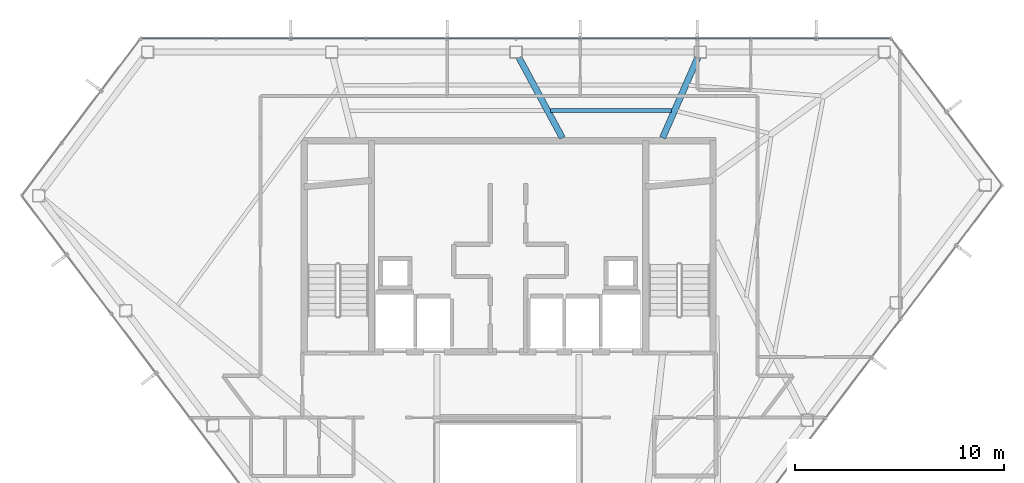
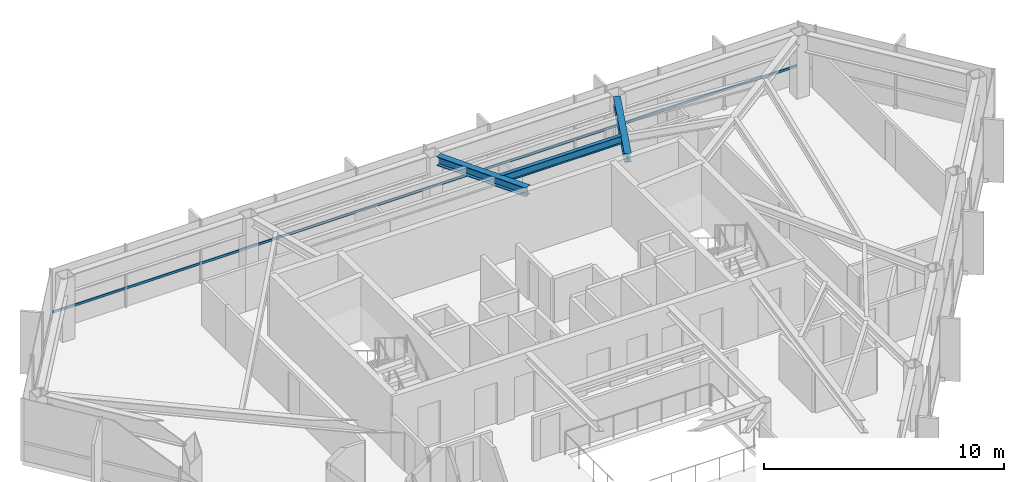
# One storey, part 15 of 28: 3 beams, 1 member, 1 element without a shape of its own.
"""IFC4 building model written with IfcOpenShell, lengths in metres."""

from ifc_helpers import new_model, si_unit, direction, frame, origin, origin_2d, place, context, subcontext, project, spatial, hollow_rectangle, i_section, extrude, material, layer, layer_set, material_profile, profile_set, type_object, element, aggregate, save


model = new_model("IFC4")

# Units and contexts
model_context = context("Model", 3, precision=1e-05, world=origin(), true_north=direction((0.0, 1.0)))
body_context = subcontext(model_context, "Body", "Model", "MODEL_VIEW")
ifc_project = project(units=[si_unit("LENGTHUNIT", "METRE"), si_unit("AREAUNIT", "SQUARE_METRE"), si_unit("VOLUMEUNIT", "CUBIC_METRE"), si_unit("PLANEANGLEUNIT", "RADIAN"), si_unit("MASSUNIT", "GRAM", prefix="KILO")], contexts=[model_context])

# Site, building, storey
site_placement = place(None, origin())
site = spatial("IfcSite", under=ifc_project, at=site_placement, CompositionType="ELEMENT")
building_placement = place(site_placement, origin())
building = spatial("IfcBuilding", under=site, at=building_placement, Name="Zarrinselat Tower", CompositionType="ELEMENT")
storey_placement = place(building_placement, frame((0.0, 0.0, 222.360107421875)))
storey = spatial("IfcBuildingStorey", under=building, at=storey_placement, Name="L55", CompositionType="ELEMENT", Elevation=222.360107421875)

# Beams
ifc_material_1 = material(Name="Steel S355J2", Category="steel")
ifc_material_profile_1 = material_profile(ifc_material_1, i_section(OverallWidth=0.300048828125, OverallDepth=0.449951171875, WebThickness=0.013916015625, FlangeThickness=0.02587890625, at=origin_2d()), Name="HEB 450")
ifc_profile_set_1 = profile_set([ifc_material_profile_1], Name="Steel S355J2")
beam_type_1 = type_object("IfcBeamType", Name="BM-HEB450", PredefinedType="BEAM", material=ifc_profile_set_1)
beam_1_placement = place(storey_placement, frame((45.800048828125, 43.5400390625, 2.954833984375), z_axis=(0.401477560637, 0.915868859775, 0.0), x_axis=(-0.915868859775, 0.401477560637, 0.0)))
element("IfcBeam", 1, at=beam_1_placement, inside=storey, type_object=beam_type_1, Name="L55 Radial Primary Girder RG02", PredefinedType="BEAM", context=body_context, shape_type="SweptSolid", body=[
    extrude(i_section(OverallWidth=0.300048828125, OverallDepth=0.449951171875, WebThickness=0.013916015625, FlangeThickness=0.02587890625, at=origin_2d()), origin(), (0.0, 0.0, 1.0), 4.179443359375),
])
beam_2_placement = place(storey_placement, frame((38.926025390625, 47.378662109375, 2.954833984375), z_axis=(0.475347322501, -0.879798228568, 0.0), x_axis=(0.879798228568, 0.475347322501, 0.0)))
element("IfcBeam", 2, at=beam_2_placement, inside=storey, type_object=beam_type_1, Name="L55 Radial Primary Girder RG03", PredefinedType="BEAM", context=body_context, shape_type="SweptSolid", body=[
    extrude(i_section(OverallWidth=0.300048828125, OverallDepth=0.449951171875, WebThickness=0.013916015625, FlangeThickness=0.02587890625, at=origin_2d()), origin(), (0.0, 0.0, 1.0), 4.363037109375),
])
ifc_material_2 = material(Name="Steel S355J2", Category="steel")
ifc_material_profile_2 = material_profile(ifc_material_2, i_section(OverallWidth=0.179931640625, OverallDepth=0.39990234375, WebThickness=0.008544921875, FlangeThickness=0.013427734375, at=origin_2d()), Name="IPE 400")
ifc_profile_set_2 = profile_set([ifc_material_profile_2], Name="Steel S355J2")
beam_type_2 = type_object("IfcBeamType", Name="BM-IPE400", PredefinedType="JOIST", material=ifc_profile_set_2)
beam_3_placement = place(storey_placement, frame((40.434814453125, 44.84521484375, 2.97998046875), z_axis=(0.999999800386, -0.000631844861, 0.0), x_axis=(0.000631844861, 0.999999800386, 0.0)))
element("IfcBeam", 3, at=beam_3_placement, inside=storey, type_object=beam_type_2, Name="L55 Composite Floor Joist 7-2", PredefinedType="JOIST", context=body_context, shape_type="SweptSolid", body=[
    extrude(i_section(OverallWidth=0.179931640625, OverallDepth=0.39990234375, WebThickness=0.008544921875, FlangeThickness=0.013427734375, at=origin_2d()), origin(), (0.0, 0.0, 1.0), 5.7958984375),
])

# Curtain wall, member
ifc_material_3 = material(Name="Extruded Aluminium Alloy EN AW-6063 T6", Category="aluminium")
ifc_layer = layer(ifc_material_3, 0.169921875)
ifc_layer_set = layer_set([ifc_layer], Name="Extruded Aluminium Alloy EN AW-6063 T6")
curtain_wall_type = type_object("IfcCurtainWallType", Name="CWS-RES", PredefinedType="NOTDEFINED", material=ifc_layer_set)
curtain_wall_placement = place(storey_placement, origin())
curtain_wall = element("IfcCurtainWall", 4, at=curtain_wall_placement, inside=storey, type_object=curtain_wall_type, Name="L55 Unitised Curtain Wall CW-L55-E01", PredefinedType="NOTDEFINED")
ifc_material_4 = material(Name="Extruded Aluminium Alloy EN AW-6063 T6", Category="aluminium")
ifc_material_profile_3 = material_profile(ifc_material_4, hollow_rectangle(XDim=0.06005859375, YDim=0.1201171875, WallThickness=0.00390625, at=origin_2d()), Name="RHS 120x60x4")
ifc_profile_set_3 = profile_set([ifc_material_profile_3], Name="Extruded Aluminium Alloy EN AW-6063 T6")
member_type = type_object("IfcMemberType", Name="MEM-CW-TRN2", PredefinedType="USERDEFINED", material=ifc_profile_set_3)
member_placement = place(storey_placement, frame((56.6494140625, 48.29443359375, 0.949951171875), z_axis=(-1.0, 0.0, 0.0), x_axis=(0.0, -1.0, 0.0)))
member = element("IfcMember", 5, at=member_placement, type_object=member_type, Name="CW-L55-E01 Transom 1", ObjectType="TRANSOM", PredefinedType="USERDEFINED", context=body_context, shape_type="SweptSolid", body=[
    extrude(hollow_rectangle(XDim=0.06005859375, YDim=0.1201171875, WallThickness=0.00390625, at=origin_2d()), origin(), (0.0, 0.0, 1.0), 35.73388671875),
])
aggregate(curtain_wall, [member])

save(model, "model.ifc")
